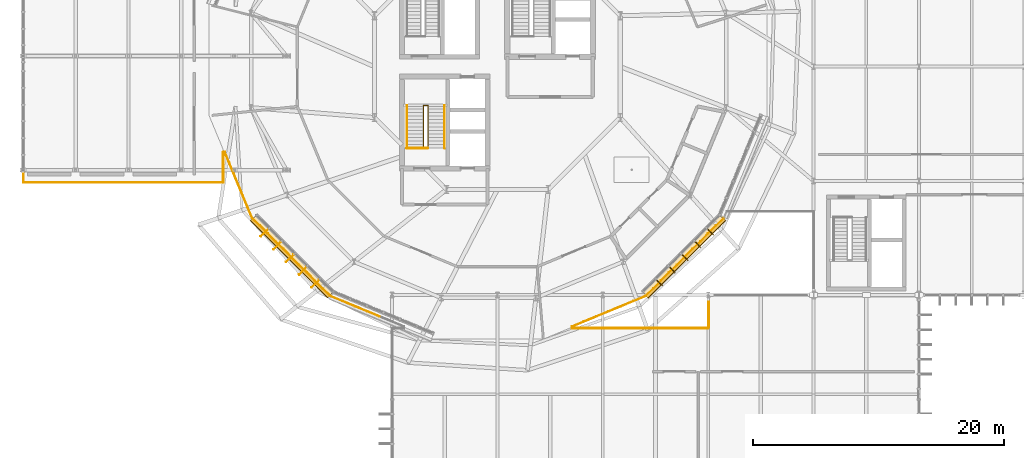
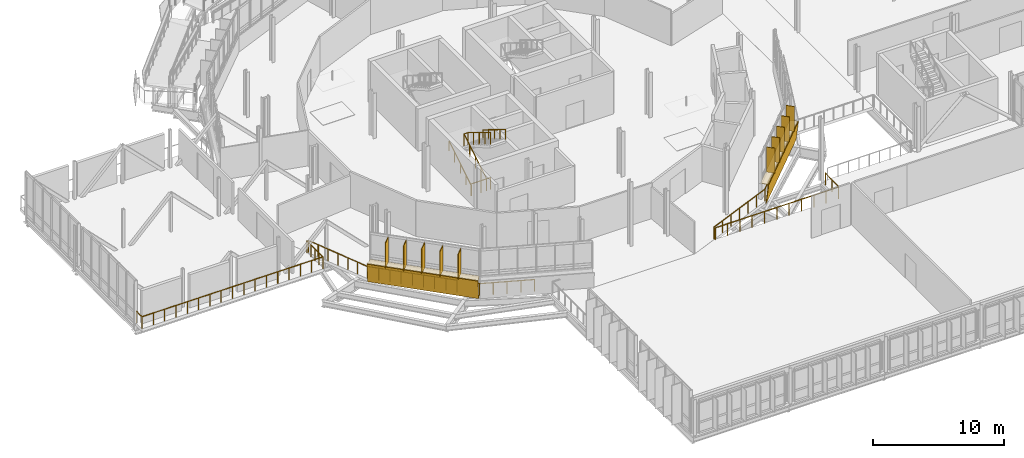
# One storey, part 97 of 107: 39 railings, 10 shading devices, 4 coverings.
"""IFC4 building model written with IfcOpenShell, lengths in metres."""

from ifc_helpers import new_model, si_unit, derived_unit, direction, frame, origin, origin_2d, place, context, subcontext, project, spatial, polyline, rectangle, circle, outline, extrude, material, layer, layer_set, type_object, element, save


model = new_model("IFC4")

# Units and contexts
model_context = context("Model", 3, precision=1e-05, world=origin(), true_north=direction((0.0, 1.0)))
body_context = subcontext(model_context, "Body", "Model", "MODEL_VIEW")
ifc_project = project(units=[si_unit("LENGTHUNIT", "METRE"), si_unit("AREAUNIT", "SQUARE_METRE"), si_unit("VOLUMEUNIT", "CUBIC_METRE"), si_unit("PLANEANGLEUNIT", "RADIAN"), si_unit("MASSUNIT", "GRAM", prefix="KILO"), derived_unit("THERMALTRANSMITTANCEUNIT", [(si_unit("MASSUNIT", "GRAM", prefix="KILO"), 1), (si_unit("TIMEUNIT", "SECOND"), -3), (si_unit("THERMODYNAMICTEMPERATUREUNIT", "KELVIN"), -1)])], contexts=[model_context])

# Site, building, storey
site_placement = place(None, origin())
site = spatial("IfcSite", under=ifc_project, at=site_placement, CompositionType="ELEMENT")
building_placement = place(site_placement, origin())
building = spatial("IfcBuilding", under=site, at=building_placement, Name="Makaiwela Harbour Ferry Terminal", CompositionType="ELEMENT")
storey_placement = place(building_placement, frame((0.0, 0.0, 9.60009765625)))
storey = spatial("IfcBuildingStorey", under=building, at=storey_placement, Name="L02", CompositionType="ELEMENT", Elevation=9.60009765625)

# Coverings
ifc_material_1 = material(Name="White glazed marine ceramic rainscreen tile", Category="masonry")
ifc_layer_1 = layer(ifc_material_1, 0.054931640625)
ifc_layer_set_1 = layer_set([ifc_layer_1], Name="White glazed marine ceramic rainscreen tile")
covering_type = type_object("IfcCoveringType", Name="ENV-CLD-CERAMIC", PredefinedType="CLADDING", material=ifc_layer_set_1)
covering_1_placement = place(storey_placement, frame((18.246826171875, 55.49951171875, -0.239990234375), z_axis=(0.702885612922, 0.702885612922, 0.109103759309), x_axis=(0.707106781187, -0.707106781187, 0.0)))
element("IfcCovering", 1, at=covering_1_placement, inside=storey, type_object=covering_type, Name="Ceramic Spandrel Facet CLD-0057", PredefinedType="CLADDING", context=body_context, shape_type="SweptSolid", body=[
    extrude(outline(polyline([(0.0, 0.0), (8.757697023826552, 0.0), (8.757524390335053, -1.7705794760187032), (0.00017263349150062335, -1.7705794760187032), (0.0, 0.0)])), origin(), (0.0, 0.0, -1.0), 0.054931640625),
])
covering_2_placement = place(storey_placement, frame((0.0, 0.0, 1.47998046875)))
element("IfcCovering", 2, at=covering_2_placement, inside=storey, type_object=covering_type, Name="Ceramic Ring Sill Cap CLD-0058", PredefinedType="CLADDING", context=body_context, shape_type="SweptSolid", body=[
    extrude(outline(polyline([(18.1103515625, 55.36279296875), (24.302734375, 49.17041015625), (24.695068359375, 49.672607421875), (18.612548828125, 55.755126953125), (18.1103515625, 55.36279296875)])), origin(), (0.0, 0.0, 1.0), 0.054931640625),
])
covering_3_placement = place(storey_placement, frame((49.66064453125, 49.306884765625, -0.239990234375), z_axis=(-0.702885612922, 0.702885612922, 0.109103759309), x_axis=(0.707106615261, 0.707106947109, -2.137879e-06)))
element("IfcCovering", 3, at=covering_3_placement, inside=storey, type_object=covering_type, Name="Ceramic Spandrel Facet CLD-0061", PredefinedType="CLADDING", context=body_context, shape_type="SweptSolid", body=[
    extrude(outline(polyline([(0.0, 0.0), (8.757524390355305, 5.551115123125783e-17), (8.75752058229814, -1.7705983109775134), (-3.8079761482184605e-06, -1.770560641051703), (0.0, 0.0)])), origin(), (0.0, 0.0, -1.0), 0.054931640625),
])
covering_4_placement = place(storey_placement, frame((0.0, 0.0, 1.47998046875)))
element("IfcCovering", 4, at=covering_4_placement, inside=storey, type_object=covering_type, Name="Ceramic Ring Sill Cap CLD-0062", PredefinedType="CLADDING", context=body_context, shape_type="SweptSolid", body=[
    extrude(outline(polyline([(49.797119140625, 49.17041015625), (55.98974609375, 55.36279296875), (55.4873046875, 55.755126953125), (49.40478515625, 49.672607421875), (49.797119140625, 49.17041015625)])), origin(), (0.0, 0.0, 1.0), 0.054931640625),
])

# Shading devices
ifc_material_2 = material(Name="Marine anodised aluminium 6063-T6", Category="aluminium")
ifc_layer_2 = layer(ifc_material_2, 0.054931640625)
ifc_layer_set_2 = layer_set([ifc_layer_2], Name="Marine anodised aluminium 6063-T6")
shading_device_type_1 = type_object("IfcShadingDeviceType", Name="ENV-FIN-650", PredefinedType="USERDEFINED", material=ifc_layer_set_2)
for number, where, z_axis, x_axis, name in (
    (5, (50.728271484375, 50.376708984375, 1.609375), (0.0, 0.0, 1.0), (0.707106781187, -0.707106781187, 0.0), "Vertical Solar Fin SFN-0061"),
    (6, (51.7421875, 51.390380859375, 1.609375), (0.0, 0.0, 1.0), (0.707106781187, -0.707106781187, 0.0), "Vertical Solar Fin SFN-0062"),
    (7, (52.755859375, 52.404296875, 1.609375), (0.0, 0.0, 1.0), (0.707106781187, -0.707106781187, 0.0), "Vertical Solar Fin SFN-0063"),
    (8, (53.76953125, 53.41796875, 1.609375), (0.0, 0.0, 1.0), (0.707106781187, -0.707106781187, 0.0), "Vertical Solar Fin SFN-0064"),
    (9, (54.783203125, 54.431640625, 1.609375), (0.0, 0.0, 1.0), (0.707106781187, -0.707106781187, 0.0), "Vertical Solar Fin SFN-0065"),
):
    element("IfcShadingDevice", number, at=place(storey_placement, frame(where, z_axis=z_axis, x_axis=x_axis)), inside=storey, type_object=shading_device_type_1, Name=name, ObjectType="SOLAR FIN", PredefinedType="USERDEFINED", context=body_context, shape_type="SweptSolid", body=[
        extrude(rectangle(XDim=0.64990234375, YDim=0.054931640625, at=origin_2d()), origin(), (0.0, 0.0, 1.0), 2.320068359375),
    ])
ifc_material_3 = material(Name="Thermally modified Accoya timber and anodised aluminium", Category="wood")
ifc_layer_3 = layer(ifc_material_3, 0.06005859375)
ifc_layer_set_3 = layer_set([ifc_layer_3], Name="Thermally modified Accoya timber and anodised aluminium")
shading_device_type_2 = type_object("IfcShadingDeviceType", Name="ENV-FIN-850", PredefinedType="USERDEFINED", material=ifc_layer_set_3)
for number, where, z_axis, x_axis, name in (
    (10, (19.24609375, 54.36083984375, 1.609375), (0.0, 0.0, 1.0), (-0.707106781187, -0.707106781187, 0.0), "Vertical Solar Fin SFN-0056"),
    (11, (20.259765625, 53.34716796875, 1.609375), (0.0, 0.0, 1.0), (-0.707106781187, -0.707106781187, 0.0), "Vertical Solar Fin SFN-0057"),
    (12, (21.2734375, 52.33349609375, 1.609375), (0.0, 0.0, 1.0), (-0.707106781187, -0.707106781187, 0.0), "Vertical Solar Fin SFN-0058"),
    (13, (22.287109375, 51.319580078125, 1.609375), (0.0, 0.0, 1.0), (-0.707106781187, -0.707106781187, 0.0), "Vertical Solar Fin SFN-0059"),
    (14, (23.301025390625, 50.305908203125, 1.609375), (0.0, 0.0, 1.0), (-0.707106781187, -0.707106781187, 0.0), "Vertical Solar Fin SFN-0060"),
):
    element("IfcShadingDevice", number, at=place(storey_placement, frame(where, z_axis=z_axis, x_axis=x_axis)), inside=storey, type_object=shading_device_type_2, Name=name, ObjectType="SOLAR FIN", PredefinedType="USERDEFINED", context=body_context, shape_type="SweptSolid", body=[
        extrude(rectangle(XDim=0.85009765625, YDim=0.06005859375, at=origin_2d()), origin(), (0.0, 0.0, 1.0), 2.320068359375),
    ])

# Railings
ifc_material_4 = material(Name="Marine grade 316L brushed stainless steel", Category="steel")
railing_type_1 = type_object("IfcRailingType", Name="INT-RL-GRD110", PredefinedType="GUARDRAIL", material=ifc_material_4)
railing_1_placement = place(storey_placement, frame((30.570068359375, 61.10009765625, 0.0)))
element("IfcRailing", 15, at=railing_1_placement, inside=storey, type_object=railing_type_1, Name="Stair top well guardrail RL-0026", PredefinedType="GUARDRAIL", context=body_context, shape_type="SweptSolid", body=[
    extrude(circle(Radius=0.02392578125, at=origin_2d()), frame((0.0, 0.0, 1.09619140625), z_axis=(1.0, 0.0, 0.0), x_axis=(0.0, 1.0, 0.0)), (0.0, 0.0, 1.0), 1.696044921875),
    extrude(circle(Radius=0.02099609375, at=origin_2d()), origin(), (0.0, 0.0, 1.0), 1.072021484375),
    extrude(circle(Radius=0.02099609375, at=origin_2d()), frame((0.84814453125, 0.0, 0.0)), (0.0, 0.0, 1.0), 1.072021484375),
    extrude(circle(Radius=0.02099609375, at=origin_2d()), frame((1.696044921875, 0.0, 0.0)), (0.0, 0.0, 1.0), 1.072021484375),
])
railing_2_placement = place(storey_placement, frame((31.926025390625, 61.10009765625, 0.0)))
element("IfcRailing", 16, at=railing_2_placement, inside=storey, type_object=railing_type_1, Name="Stair well guardrail RL-0029", PredefinedType="GUARDRAIL", context=body_context, shape_type="SweptSolid", body=[
    extrude(circle(Radius=0.02392578125, at=origin_2d()), frame((0.0, 0.0, 1.09619140625), z_axis=(0.0, 0.852182171552, 0.523245206847), x_axis=(-1.0, 0.0, 0.0)), (0.0, 0.0, 1.0), 4.01318359375),
    extrude(circle(Radius=0.02392578125, at=origin_2d()), frame((0.0, 3.419921875, 3.19580078125), z_axis=(1.0, 0.0, 0.0), x_axis=(0.0, 1.0, 0.0)), (0.0, 0.0, 1.0), 0.340087890625),
    extrude(circle(Radius=0.02392578125, at=origin_2d()), frame((0.340087890625, 3.419921875, 3.19580078125), z_axis=(0.0, -0.852155044755, 0.523289384279), x_axis=(1.0, 0.0, 0.0)), (0.0, 0.0, 1.0), 4.01318359375),
    extrude(circle(Radius=0.02099609375, at=origin_2d()), origin(), (0.0, 0.0, 1.0), 1.072021484375),
    extrude(circle(Radius=0.02099609375, at=origin_2d()), frame((0.0, 0.85498046875, 0.52490234375)), (0.0, 0.0, 1.0), 1.072021484375),
    extrude(circle(Radius=0.02099609375, at=origin_2d()), frame((0.0, 1.7099609375, 1.0498046875)), (0.0, 0.0, 1.0), 1.072021484375),
    extrude(circle(Radius=0.02099609375, at=origin_2d()), frame((0.0, 2.56494140625, 1.574951171875)), (0.0, 0.0, 1.0), 1.072021484375),
    extrude(circle(Radius=0.02099609375, at=origin_2d()), frame((0.0, 3.419921875, 2.099853515625)), (0.0, 0.0, 1.0), 1.072021484375),
    extrude(circle(Radius=0.02099609375, at=origin_2d()), frame((0.340087890625, 3.419921875, 2.099853515625)), (0.0, 0.0, 1.0), 1.072021484375),
    extrude(circle(Radius=0.02099609375, at=origin_2d()), frame((0.340087890625, 2.56494140625, 2.625)), (0.0, 0.0, 1.0), 1.072021484375),
    extrude(circle(Radius=0.02099609375, at=origin_2d()), frame((0.340087890625, 1.7099609375, 3.14990234375)), (0.0, 0.0, 1.0), 1.072021484375),
    extrude(circle(Radius=0.02099609375, at=origin_2d()), frame((0.340087890625, 0.85498046875, 3.6748046875)), (0.0, 0.0, 1.0), 1.072021484375),
    extrude(circle(Radius=0.02099609375, at=origin_2d()), frame((0.340087890625, 0.0, 4.199951171875)), (0.0, 0.0, 1.0), 1.072021484375),
])
railing_3_placement = place(storey_placement, frame((0.044921875, 58.364990234375, 0.0)))
element("IfcRailing", 17, at=railing_3_placement, inside=storey, type_object=railing_type_1, Name="Deck edge guardrail RL-0441", PredefinedType="GUARDRAIL", context=body_context, shape_type="SweptSolid", body=[
    extrude(circle(Radius=0.02392578125, at=origin_2d()), frame((0.0, 0.0, 1.09619140625), z_axis=(0.0, 1.0, 0.0), x_axis=(-1.0, 0.0, 0.0)), (0.0, 0.0, 1.0), 0.864990234375),
    extrude(circle(Radius=0.02099609375, at=origin_2d()), origin(), (0.0, 0.0, 1.0), 1.072021484375),
    extrude(circle(Radius=0.02099609375, at=origin_2d()), frame((0.0, 0.864990234375, 0.0)), (0.0, 0.0, 1.0), 1.072021484375),
])
railing_4_placement = place(storey_placement, frame((28.411376953125, 47.69189453125, 0.0)))
element("IfcRailing", 18, at=railing_4_placement, inside=storey, type_object=railing_type_1, Name="Deck edge guardrail RL-0571", PredefinedType="GUARDRAIL", context=body_context, shape_type="SweptSolid", body=[
    extrude(circle(Radius=0.02392578125, at=origin_2d()), frame((0.0, 0.0, 1.09619140625), z_axis=(-0.923875148444, 0.382694016267, 0.0), x_axis=(-0.382694016267, -0.923875148444, 0.0)), (0.0, 0.0, 1.0), 2.12109375),
    extrude(circle(Radius=0.02099609375, at=origin_2d()), origin(), (0.0, 0.0, 1.0), 1.072021484375),
    extrude(circle(Radius=0.02099609375, at=origin_2d()), frame((-0.97998046875, 0.40576171875, 0.0)), (0.0, 0.0, 1.0), 1.072021484375),
    extrude(circle(Radius=0.02099609375, at=origin_2d()), frame((-1.959716796875, 0.811767578125, 0.0)), (0.0, 0.0, 1.0), 1.072021484375),
])
railing_5_placement = place(storey_placement, frame((26.45166015625, 48.503662109375, 0.0)))
element("IfcRailing", 19, at=railing_5_placement, inside=storey, type_object=railing_type_1, Name="Deck edge guardrail RL-0572", PredefinedType="GUARDRAIL", context=body_context, shape_type="SweptSolid", body=[
    extrude(circle(Radius=0.02392578125, at=origin_2d()), frame((0.0, 0.0, 1.09619140625), z_axis=(-0.923932684251, 0.3825550875, 0.0), x_axis=(-0.3825550875, -0.923932684251, 0.0)), (0.0, 0.0, 1.0), 2.121337890625),
    extrude(circle(Radius=0.02099609375, at=origin_2d()), origin(), (0.0, 0.0, 1.0), 1.072021484375),
    extrude(circle(Radius=0.02099609375, at=origin_2d()), frame((-0.97998046875, 0.40576171875, 0.0)), (0.0, 0.0, 1.0), 1.072021484375),
    extrude(circle(Radius=0.02099609375, at=origin_2d()), frame((-1.9599609375, 0.8115234375, 0.0)), (0.0, 0.0, 1.0), 1.072021484375),
])
railing_6_placement = place(storey_placement, frame((24.49169921875, 49.315185546875, 0.0)))
element("IfcRailing", 20, at=railing_6_placement, inside=storey, type_object=railing_type_1, Name="Deck edge guardrail RL-0573", PredefinedType="GUARDRAIL", context=body_context, shape_type="SweptSolid", body=[
    extrude(circle(Radius=0.02392578125, at=origin_2d()), frame((0.0, 0.0, 1.09619140625), z_axis=(-0.707106781187, 0.707106781187, 0.0), x_axis=(-0.707106781187, -0.707106781187, 0.0)), (0.0, 0.0, 1.0), 1.763916015625),
    extrude(circle(Radius=0.02099609375, at=origin_2d()), origin(), (0.0, 0.0, 1.0), 1.072021484375),
    extrude(circle(Radius=0.02099609375, at=origin_2d()), frame((-0.62353515625, 0.62353515625, 0.0)), (0.0, 0.0, 1.0), 1.072021484375),
    extrude(circle(Radius=0.02099609375, at=origin_2d()), frame((-1.247314453125, 1.247314453125, 0.0)), (0.0, 0.0, 1.0), 1.072021484375),
])
railing_7_placement = place(storey_placement, frame((23.244384765625, 50.5625, 0.0)))
element("IfcRailing", 21, at=railing_7_placement, inside=storey, type_object=railing_type_1, Name="Deck edge guardrail RL-0574", PredefinedType="GUARDRAIL", context=body_context, shape_type="SweptSolid", body=[
    extrude(circle(Radius=0.02392578125, at=origin_2d()), frame((0.0, 0.0, 1.09619140625), z_axis=(-0.707037568954, 0.707175986645, 0.0), x_axis=(-0.707175986645, -0.707037568954, 0.0)), (0.0, 0.0, 1.0), 1.763916015625),
    extrude(circle(Radius=0.02099609375, at=origin_2d()), origin(), (0.0, 0.0, 1.0), 1.072021484375),
    extrude(circle(Radius=0.02099609375, at=origin_2d()), frame((-0.62353515625, 0.62353515625, 0.0)), (0.0, 0.0, 1.0), 1.072021484375),
    extrude(circle(Radius=0.02099609375, at=origin_2d()), frame((-1.2470703125, 1.247314453125, 0.0)), (0.0, 0.0, 1.0), 1.072021484375),
])
for number, where, name in (
    (22, (21.997314453125, 51.809814453125, 0.0), "Deck edge guardrail RL-0575"),
    (23, (20.75, 53.05712890625, 0.0), "Deck edge guardrail RL-0576"),
    (24, (19.502685546875, 54.304443359375, 0.0), "Deck edge guardrail RL-0577"),
):
    element("IfcRailing", number, at=place(storey_placement, frame(where)), inside=storey, type_object=railing_type_1, Name=name, PredefinedType="GUARDRAIL", context=body_context, shape_type="SweptSolid", body=[
        extrude(circle(Radius=0.02392578125, at=origin_2d()), frame((0.0, 0.0, 1.09619140625), z_axis=(-0.707106781187, 0.707106781187, 0.0), x_axis=(-0.707106781187, -0.707106781187, 0.0)), (0.0, 0.0, 1.0), 1.763916015625),
        extrude(circle(Radius=0.02099609375, at=origin_2d()), origin(), (0.0, 0.0, 1.0), 1.072021484375),
        extrude(circle(Radius=0.02099609375, at=origin_2d()), frame((-0.62353515625, 0.62353515625, 0.0)), (0.0, 0.0, 1.0), 1.072021484375),
        extrude(circle(Radius=0.02099609375, at=origin_2d()), frame((-1.247314453125, 1.247314453125, 0.0)), (0.0, 0.0, 1.0), 1.072021484375),
    ])
railing_8_placement = place(storey_placement, frame((18.25537109375, 55.5517578125, 0.0)))
element("IfcRailing", 25, at=railing_8_placement, inside=storey, type_object=railing_type_1, Name="Deck edge guardrail RL-0578", PredefinedType="GUARDRAIL", context=body_context, shape_type="SweptSolid", body=[
    extrude(circle(Radius=0.02392578125, at=origin_2d()), frame((0.0, 0.0, 1.09619140625), z_axis=(-0.382693194178, 0.923875488976, 0.0), x_axis=(-0.923875488976, -0.382693194178, 0.0)), (0.0, 0.0, 1.0), 1.894775390625),
    extrude(circle(Radius=0.02099609375, at=origin_2d()), origin(), (0.0, 0.0, 1.0), 1.072021484375),
    extrude(circle(Radius=0.02099609375, at=origin_2d()), frame((-0.362548828125, 0.875244140625, 0.0)), (0.0, 0.0, 1.0), 1.072021484375),
    extrude(circle(Radius=0.02099609375, at=origin_2d()), frame((-0.72509765625, 1.75048828125, 0.0)), (0.0, 0.0, 1.0), 1.072021484375),
])
railing_9_placement = place(storey_placement, frame((17.5302734375, 57.30224609375, 0.0)))
element("IfcRailing", 26, at=railing_9_placement, inside=storey, type_object=railing_type_1, Name="Deck edge guardrail RL-0579", PredefinedType="GUARDRAIL", context=body_context, shape_type="SweptSolid", body=[
    extrude(circle(Radius=0.02392578125, at=origin_2d()), frame((0.0, 0.0, 1.09619140625), z_axis=(-0.382647641784, 0.923894356643, 0.0), x_axis=(-0.923894356643, -0.382647641784, 0.0)), (0.0, 0.0, 1.0), 1.89501953125),
    extrude(circle(Radius=0.02099609375, at=origin_2d()), origin(), (0.0, 0.0, 1.0), 1.072021484375),
    extrude(circle(Radius=0.02099609375, at=origin_2d()), frame((-0.362548828125, 0.87548828125, 0.0)), (0.0, 0.0, 1.0), 1.072021484375),
    extrude(circle(Radius=0.02099609375, at=origin_2d()), frame((-0.72509765625, 1.750732421875, 0.0)), (0.0, 0.0, 1.0), 1.072021484375),
])
railing_10_placement = place(storey_placement, frame((16.80517578125, 59.052978515625, 0.0)))
element("IfcRailing", 27, at=railing_10_placement, inside=storey, type_object=railing_type_1, Name="Deck edge guardrail RL-0580", PredefinedType="GUARDRAIL", context=body_context, shape_type="SweptSolid", body=[
    extrude(circle(Radius=0.02392578125, at=origin_2d()), frame((0.0, 0.0, 1.09619140625), z_axis=(-0.382693194178, 0.923875488976, 0.0), x_axis=(-0.923875488976, -0.382693194178, 0.0)), (0.0, 0.0, 1.0), 1.894775390625),
    extrude(circle(Radius=0.02099609375, at=origin_2d()), origin(), (0.0, 0.0, 1.0), 1.072021484375),
    extrude(circle(Radius=0.02099609375, at=origin_2d()), frame((-0.362548828125, 0.875244140625, 0.0)), (0.0, 0.0, 1.0), 1.072021484375),
    extrude(circle(Radius=0.02099609375, at=origin_2d()), frame((-0.72509765625, 1.75048828125, 0.0)), (0.0, 0.0, 1.0), 1.072021484375),
])
railing_11_placement = place(storey_placement, frame((15.955078125, 60.78076171875, 0.0)))
element("IfcRailing", 28, at=railing_11_placement, inside=storey, type_object=railing_type_1, Name="Deck edge guardrail RL-0581", PredefinedType="GUARDRAIL", context=body_context, shape_type="SweptSolid", body=[
    extrude(circle(Radius=0.02392578125, at=origin_2d()), frame((0.0, 0.0, 1.09619140625), z_axis=(0.0, -1.0, 0.0), x_axis=(1.0, 0.0, 0.0)), (0.0, 0.0, 1.0), 1.207763671875),
    extrude(circle(Radius=0.02099609375, at=origin_2d()), origin(), (0.0, 0.0, 1.0), 1.072021484375),
    extrude(circle(Radius=0.02099609375, at=origin_2d()), frame((0.0, -0.60400390625, 0.0)), (0.0, 0.0, 1.0), 1.072021484375),
    extrude(circle(Radius=0.02099609375, at=origin_2d()), frame((0.0, -1.207763671875, 0.0)), (0.0, 0.0, 1.0), 1.072021484375),
])
railing_12_placement = place(storey_placement, frame((15.955078125, 59.572998046875, 0.0)))
element("IfcRailing", 29, at=railing_12_placement, inside=storey, type_object=railing_type_1, Name="Deck edge guardrail RL-0582", PredefinedType="GUARDRAIL", context=body_context, shape_type="SweptSolid", body=[
    extrude(circle(Radius=0.02392578125, at=origin_2d()), frame((0.0, 0.0, 1.09619140625), z_axis=(0.0, -1.0, 0.0), x_axis=(1.0, 0.0, 0.0)), (0.0, 0.0, 1.0), 1.2080078125),
    extrude(circle(Radius=0.02099609375, at=origin_2d()), origin(), (0.0, 0.0, 1.0), 1.072021484375),
    extrude(circle(Radius=0.02099609375, at=origin_2d()), frame((0.0, -0.60400390625, 0.0)), (0.0, 0.0, 1.0), 1.072021484375),
    extrude(circle(Radius=0.02099609375, at=origin_2d()), frame((0.0, -1.2080078125, 0.0)), (0.0, 0.0, 1.0), 1.072021484375),
])
for number, where, name in (
    (30, (15.955078125, 58.364990234375, 0.0), "Deck edge guardrail RL-0583"),
    (31, (13.96630859375, 58.364990234375, 0.0), "Deck edge guardrail RL-0584"),
    (32, (11.9775390625, 58.364990234375, 0.0), "Deck edge guardrail RL-0585"),
    (33, (9.98876953125, 58.364990234375, 0.0), "Deck edge guardrail RL-0586"),
    (34, (8.0, 58.364990234375, 0.0), "Deck edge guardrail RL-0587"),
    (35, (6.01123046875, 58.364990234375, 0.0), "Deck edge guardrail RL-0588"),
    (36, (4.0224609375, 58.364990234375, 0.0), "Deck edge guardrail RL-0589"),
    (37, (2.03369140625, 58.364990234375, 0.0), "Deck edge guardrail RL-0590"),
):
    element("IfcRailing", number, at=place(storey_placement, frame(where)), inside=storey, type_object=railing_type_1, Name=name, PredefinedType="GUARDRAIL", context=body_context, shape_type="SweptSolid", body=[
        extrude(circle(Radius=0.02392578125, at=origin_2d()), frame((0.0, 0.0, 1.09619140625), z_axis=(-1.0, 0.0, 0.0), x_axis=(0.0, -1.0, 0.0)), (0.0, 0.0, 1.0), 1.98876953125),
        extrude(circle(Radius=0.02099609375, at=origin_2d()), origin(), (0.0, 0.0, 1.0), 1.072021484375),
        extrude(circle(Radius=0.02099609375, at=origin_2d()), frame((-0.994384765625, 0.0, 0.0)), (0.0, 0.0, 1.0), 1.072021484375),
        extrude(circle(Radius=0.02099609375, at=origin_2d()), frame((-1.98876953125, 0.0, 0.0)), (0.0, 0.0, 1.0), 1.072021484375),
    ])
railing_13_placement = place(storey_placement, frame((49.608154296875, 49.315185546875, 0.0)))
element("IfcRailing", 38, at=railing_13_placement, inside=storey, type_object=railing_type_1, Name="Deck edge guardrail RL-0591", PredefinedType="GUARDRAIL", context=body_context, shape_type="SweptSolid", body=[
    extrude(circle(Radius=0.02392578125, at=origin_2d()), frame((0.0, 0.0, 1.09619140625), z_axis=(-0.923915838507, -0.382595770175, 0.0), x_axis=(0.382595770175, -0.923915838507, 0.0)), (0.0, 0.0, 1.0), 2.12109375),
    extrude(circle(Radius=0.02099609375, at=origin_2d()), origin(), (0.0, 0.0, 1.0), 1.072021484375),
    extrude(circle(Radius=0.02099609375, at=origin_2d()), frame((-0.97998046875, -0.40576171875, 0.0)), (0.0, 0.0, 1.0), 1.072021484375),
    extrude(circle(Radius=0.02099609375, at=origin_2d()), frame((-1.959716796875, -0.8115234375, 0.0)), (0.0, 0.0, 1.0), 1.072021484375),
])
for number, where, name in (
    (39, (47.6484375, 48.503662109375, 0.0), "Deck edge guardrail RL-0592"),
    (40, (45.688720703125, 47.69189453125, 0.0), "Deck edge guardrail RL-0593"),
):
    element("IfcRailing", number, at=place(storey_placement, frame(where)), inside=storey, type_object=railing_type_1, Name=name, PredefinedType="GUARDRAIL", context=body_context, shape_type="SweptSolid", body=[
        extrude(circle(Radius=0.02392578125, at=origin_2d()), frame((0.0, 0.0, 1.09619140625), z_axis=(-0.923875148444, -0.382694016267, 0.0), x_axis=(0.382694016267, -0.923875148444, 0.0)), (0.0, 0.0, 1.0), 2.12109375),
        extrude(circle(Radius=0.02099609375, at=origin_2d()), origin(), (0.0, 0.0, 1.0), 1.072021484375),
        extrude(circle(Radius=0.02099609375, at=origin_2d()), frame((-0.97998046875, -0.40576171875, 0.0)), (0.0, 0.0, 1.0), 1.072021484375),
        extrude(circle(Radius=0.02099609375, at=origin_2d()), frame((-1.959716796875, -0.811767578125, 0.0)), (0.0, 0.0, 1.0), 1.072021484375),
    ])
for number, where, name in (
    (41, (43.753662109375, 46.7548828125, 0.0), "Deck edge guardrail RL-0594"),
    (42, (45.92138671875, 46.755126953125, 0.0), "Deck edge guardrail RL-0595"),
):
    element("IfcRailing", number, at=place(storey_placement, frame(where)), inside=storey, type_object=railing_type_1, Name=name, PredefinedType="GUARDRAIL", context=body_context, shape_type="SweptSolid", body=[
        extrude(circle(Radius=0.02392578125, at=origin_2d()), frame((0.0, 0.0, 1.09619140625), z_axis=(0.999999993658, 0.000112625295, 0.0), x_axis=(-0.000112625295, 0.999999993658, 0.0)), (0.0, 0.0, 1.0), 2.167724609375),
        extrude(circle(Radius=0.02099609375, at=origin_2d()), origin(), (0.0, 0.0, 1.0), 1.072021484375),
        extrude(circle(Radius=0.02099609375, at=origin_2d()), frame((1.083984375, 0.0, 0.0)), (0.0, 0.0, 1.0), 1.072021484375),
        extrude(circle(Radius=0.02099609375, at=origin_2d()), frame((2.167724609375, 0.000244140625, 0.0)), (0.0, 0.0, 1.0), 1.072021484375),
    ])
railing_14_placement = place(storey_placement, frame((48.089111328125, 46.75537109375, 0.0)))
element("IfcRailing", 43, at=railing_14_placement, inside=storey, type_object=railing_type_1, Name="Deck edge guardrail RL-0596", PredefinedType="GUARDRAIL", context=body_context, shape_type="SweptSolid", body=[
    extrude(circle(Radius=0.02392578125, at=origin_2d()), frame((0.0, 0.0, 1.09619140625), z_axis=(0.999999993659, 0.000112612612, 0.0), x_axis=(-0.000112612612, 0.999999993659, 0.0)), (0.0, 0.0, 1.0), 2.16796875),
    extrude(circle(Radius=0.02099609375, at=origin_2d()), origin(), (0.0, 0.0, 1.0), 1.072021484375),
    extrude(circle(Radius=0.02099609375, at=origin_2d()), frame((1.083984375, 0.0, 0.0)), (0.0, 0.0, 1.0), 1.072021484375),
    extrude(circle(Radius=0.02099609375, at=origin_2d()), frame((2.16796875, 0.000244140625, 0.0)), (0.0, 0.0, 1.0), 1.072021484375),
])
railing_15_placement = place(storey_placement, frame((50.257080078125, 46.755615234375, 0.0)))
element("IfcRailing", 44, at=railing_15_placement, inside=storey, type_object=railing_type_1, Name="Deck edge guardrail RL-0597", PredefinedType="GUARDRAIL", context=body_context, shape_type="SweptSolid", body=[
    extrude(circle(Radius=0.02392578125, at=origin_2d()), frame((0.0, 0.0, 1.09619140625), z_axis=(1.0, 0.0, 0.0), x_axis=(0.0, 1.0, 0.0)), (0.0, 0.0, 1.0), 2.167724609375),
    extrude(circle(Radius=0.02099609375, at=origin_2d()), origin(), (0.0, 0.0, 1.0), 1.072021484375),
    extrude(circle(Radius=0.02099609375, at=origin_2d()), frame((1.083984375, 0.0, 0.0)), (0.0, 0.0, 1.0), 1.072021484375),
    extrude(circle(Radius=0.02099609375, at=origin_2d()), frame((2.167724609375, 0.0, 0.0)), (0.0, 0.0, 1.0), 1.072021484375),
])
railing_16_placement = place(storey_placement, frame((52.4248046875, 46.755615234375, 0.0)))
element("IfcRailing", 45, at=railing_16_placement, inside=storey, type_object=railing_type_1, Name="Deck edge guardrail RL-0598", PredefinedType="GUARDRAIL", context=body_context, shape_type="SweptSolid", body=[
    extrude(circle(Radius=0.02392578125, at=origin_2d()), frame((0.0, 0.0, 1.09619140625), z_axis=(0.999999993658, 0.000112625295, 0.0), x_axis=(-0.000112625295, 0.999999993658, 0.0)), (0.0, 0.0, 1.0), 2.167724609375),
    extrude(circle(Radius=0.02099609375, at=origin_2d()), origin(), (0.0, 0.0, 1.0), 1.072021484375),
    extrude(circle(Radius=0.02099609375, at=origin_2d()), frame((1.083984375, 0.0, 0.0)), (0.0, 0.0, 1.0), 1.072021484375),
    extrude(circle(Radius=0.02099609375, at=origin_2d()), frame((2.167724609375, 0.000244140625, 0.0)), (0.0, 0.0, 1.0), 1.072021484375),
])
railing_17_placement = place(storey_placement, frame((54.64697265625, 46.81787109375, 0.0)))
element("IfcRailing", 46, at=railing_17_placement, inside=storey, type_object=railing_type_1, Name="Deck edge guardrail RL-0599", PredefinedType="GUARDRAIL", context=body_context, shape_type="SweptSolid", body=[
    extrude(circle(Radius=0.02392578125, at=origin_2d()), frame((0.0, 0.0, 1.09619140625), z_axis=(-0.000720028615, 0.999999740779, 0.0), x_axis=(-0.999999740779, -0.000720028615, 0.0)), (0.0, 0.0, 1.0), 2.034423828125),
    extrude(circle(Radius=0.02099609375, at=origin_2d()), origin(), (0.0, 0.0, 1.0), 1.072021484375),
    extrude(circle(Radius=0.02099609375, at=origin_2d()), frame((-0.000732421875, 1.01708984375, 0.0)), (0.0, 0.0, 1.0), 1.072021484375),
    extrude(circle(Radius=0.02099609375, at=origin_2d()), frame((-0.00146484375, 2.034423828125, 0.0)), (0.0, 0.0, 1.0), 1.072021484375),
])
for number, where, name in (
    (47, (55.8447265625, 55.5517578125, 0.0), "Deck edge guardrail RL-0612"),
    (48, (54.597412109375, 54.304443359375, 0.0), "Deck edge guardrail RL-0613"),
    (49, (53.35009765625, 53.05712890625, 0.0), "Deck edge guardrail RL-0614"),
    (50, (52.102783203125, 51.809814453125, 0.0), "Deck edge guardrail RL-0615"),
    (51, (50.85546875, 50.5625, 0.0), "Deck edge guardrail RL-0616"),
):
    element("IfcRailing", number, at=place(storey_placement, frame(where)), inside=storey, type_object=railing_type_1, Name=name, PredefinedType="GUARDRAIL", context=body_context, shape_type="SweptSolid", body=[
        extrude(circle(Radius=0.02392578125, at=origin_2d()), frame((0.0, 0.0, 1.09619140625), z_axis=(-0.707106781187, -0.707106781187, 0.0), x_axis=(0.707106781187, -0.707106781187, 0.0)), (0.0, 0.0, 1.0), 1.763916015625),
        extrude(circle(Radius=0.02099609375, at=origin_2d()), origin(), (0.0, 0.0, 1.0), 1.072021484375),
        extrude(circle(Radius=0.02099609375, at=origin_2d()), frame((-0.62353515625, -0.62353515625, 0.0)), (0.0, 0.0, 1.0), 1.072021484375),
        extrude(circle(Radius=0.02099609375, at=origin_2d()), frame((-1.247314453125, -1.247314453125, 0.0)), (0.0, 0.0, 1.0), 1.072021484375),
    ])
railing_type_2 = type_object("IfcRailingType", Name="INT-RL-HND090", PredefinedType="HANDRAIL", material=ifc_material_4)
railing_18_placement = place(storey_placement, frame((30.60009765625, 61.10009765625, 0.0)))
element("IfcRailing", 52, at=railing_18_placement, inside=storey, type_object=railing_type_2, Name="Stair wall handrail RL-0031", PredefinedType="HANDRAIL", context=body_context, shape_type="SweptSolid", body=[
    extrude(circle(Radius=0.02392578125, at=origin_2d()), frame((0.0, 0.0, 0.89111328125), z_axis=(0.0, 0.852182171552, 0.523245206847), x_axis=(-1.0, 0.0, 0.0)), (0.0, 0.0, 1.0), 4.01318359375),
    extrude(circle(Radius=0.02099609375, at=origin_2d()), origin(), (0.0, 0.0, 1.0), 0.866943359375),
    extrude(circle(Radius=0.02099609375, at=origin_2d()), frame((0.0, 0.85498046875, 0.52490234375)), (0.0, 0.0, 1.0), 0.866943359375),
    extrude(circle(Radius=0.02099609375, at=origin_2d()), frame((0.0, 1.7099609375, 1.0498046875)), (0.0, 0.0, 1.0), 0.866943359375),
    extrude(circle(Radius=0.02099609375, at=origin_2d()), frame((0.0, 2.56494140625, 1.574951171875)), (0.0, 0.0, 1.0), 0.866943359375),
    extrude(circle(Radius=0.02099609375, at=origin_2d()), frame((0.0, 3.419921875, 2.099853515625)), (0.0, 0.0, 1.0), 0.866943359375),
])
railing_19_placement = place(storey_placement, frame((33.592041015625, 64.52001953125, 2.099853515625)))
element("IfcRailing", 53, at=railing_19_placement, inside=storey, type_object=railing_type_2, Name="Stair upper handrail RL-0032", PredefinedType="HANDRAIL", context=body_context, shape_type="SweptSolid", body=[
    extrude(circle(Radius=0.02392578125, at=origin_2d()), frame((0.0, 0.0, 0.89111328125), z_axis=(0.0, -0.852155044755, 0.523289384279), x_axis=(1.0, 0.0, 0.0)), (0.0, 0.0, 1.0), 4.01318359375),
    extrude(circle(Radius=0.02099609375, at=origin_2d()), origin(), (0.0, 0.0, 1.0), 0.866943359375),
    extrude(circle(Radius=0.02099609375, at=origin_2d()), frame((0.0, -0.85498046875, 0.52490234375)), (0.0, 0.0, 1.0), 0.866943359375),
    extrude(circle(Radius=0.02099609375, at=origin_2d()), frame((0.0, -1.7099609375, 1.050048828125)), (0.0, 0.0, 1.0), 0.866943359375),
    extrude(circle(Radius=0.02099609375, at=origin_2d()), frame((0.0, -2.56494140625, 1.5751953125)), (0.0, 0.0, 1.0), 0.866943359375),
    extrude(circle(Radius=0.02099609375, at=origin_2d()), frame((0.0, -3.419921875, 2.10009765625)), (0.0, 0.0, 1.0), 0.866943359375),
])

save(model, "model.ifc")
